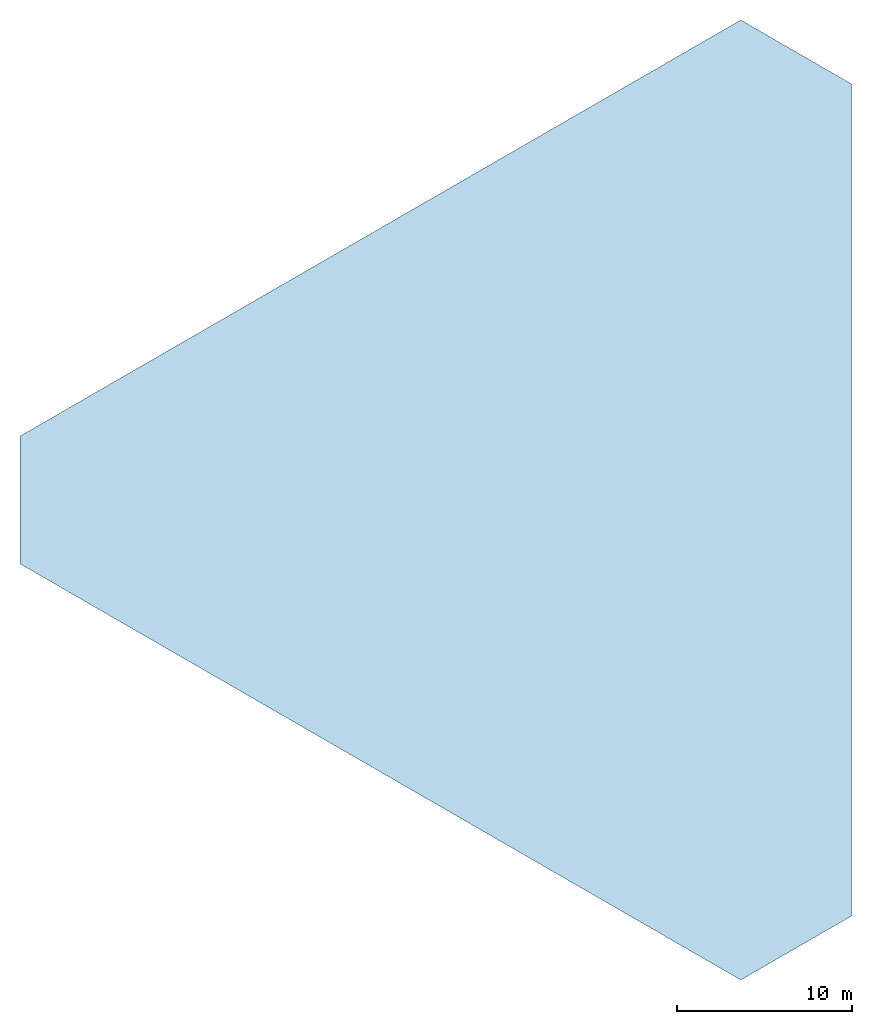
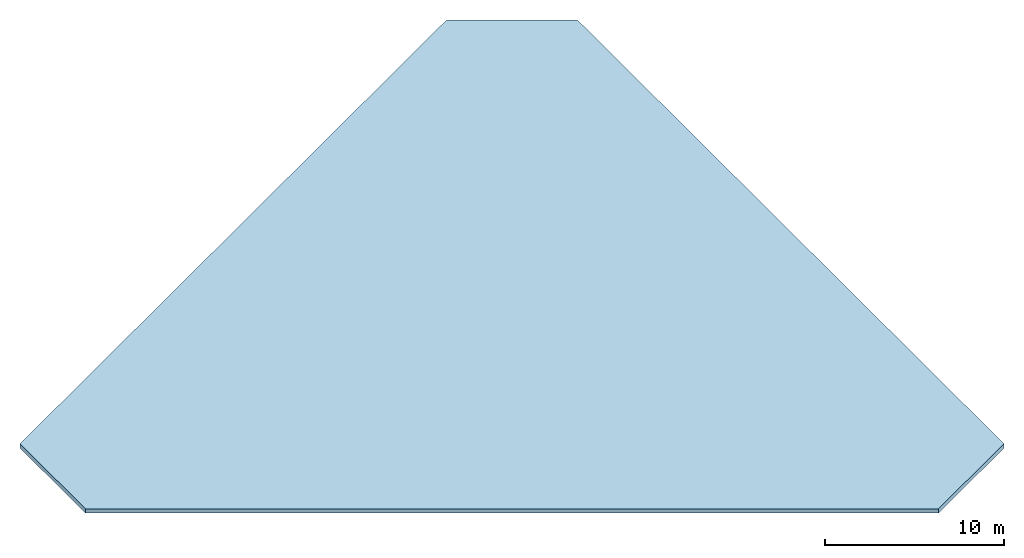
# One storey: 1 slab.
"""IFC4 building model written with IfcOpenShell, lengths in metres."""

from ifc_helpers import new_model, si_unit, direction, frame, origin, place, context, subcontext, project, spatial, polyline, outline, extrude, material, layer, layer_set, type_object, element, save


model = new_model("IFC4")

# Units and contexts
model_context = context("Model", 3, precision=1e-05, world=origin(), true_north=direction((0.0, 1.0)))
body_context = subcontext(model_context, "Body", "Model", "MODEL_VIEW")
ifc_project = project(units=[si_unit("LENGTHUNIT", "METRE"), si_unit("AREAUNIT", "SQUARE_METRE"), si_unit("VOLUMEUNIT", "CUBIC_METRE"), si_unit("PLANEANGLEUNIT", "RADIAN"), si_unit("MASSUNIT", "GRAM", prefix="KILO")], contexts=[model_context])

# Site, building, storey
site_placement = place(None, origin())
site = spatial("IfcSite", under=ifc_project, at=site_placement, CompositionType="ELEMENT")
building_placement = place(site_placement, origin())
building = spatial("IfcBuilding", under=site, at=building_placement, Name="Jabali Bay Hotel Tower and Convention Centre", CompositionType="ELEMENT")
storey_placement = place(building_placement, frame((0.0, 0.0, 330.27099609375)))
storey = spatial("IfcBuildingStorey", under=building, at=storey_placement, Name="Roof Crown Platform 1", CompositionType="ELEMENT", Elevation=330.27099609375)

# Slab
ifc_material = material(Name="Concrete C40", Category="concrete")
ifc_layer = layer(ifc_material, 0.300048828125)
ifc_layer_set = layer_set([ifc_layer], Name="Concrete C40")
slab_type = type_object("IfcSlabType", Name="Crown platform slab 300", PredefinedType="ROOF", material=ifc_layer_set)
slab_placement = place(storey_placement, frame((0.0, 0.0, 0.00048828125)))
element("IfcSlab", 1, at=slab_placement, inside=storey, type_object=slab_type, Name="Crown platform slab 330.371", PredefinedType="ROOF", context=body_context, shape_type="SweptSolid", body=[
    extrude(outline(polyline([(92.94873046875, 56.21337890625), (86.625244140625, 52.562744140625), (45.42578125, 76.34912109375), (45.42578125, 83.65087890625), (86.625244140625, 107.437255859375), (92.94873046875, 103.78662109375), (92.94873046875, 56.21337890625)])), origin(), (0.0, 0.0, 1.0), 0.300048828125),
])

save(model, "model.ifc")
